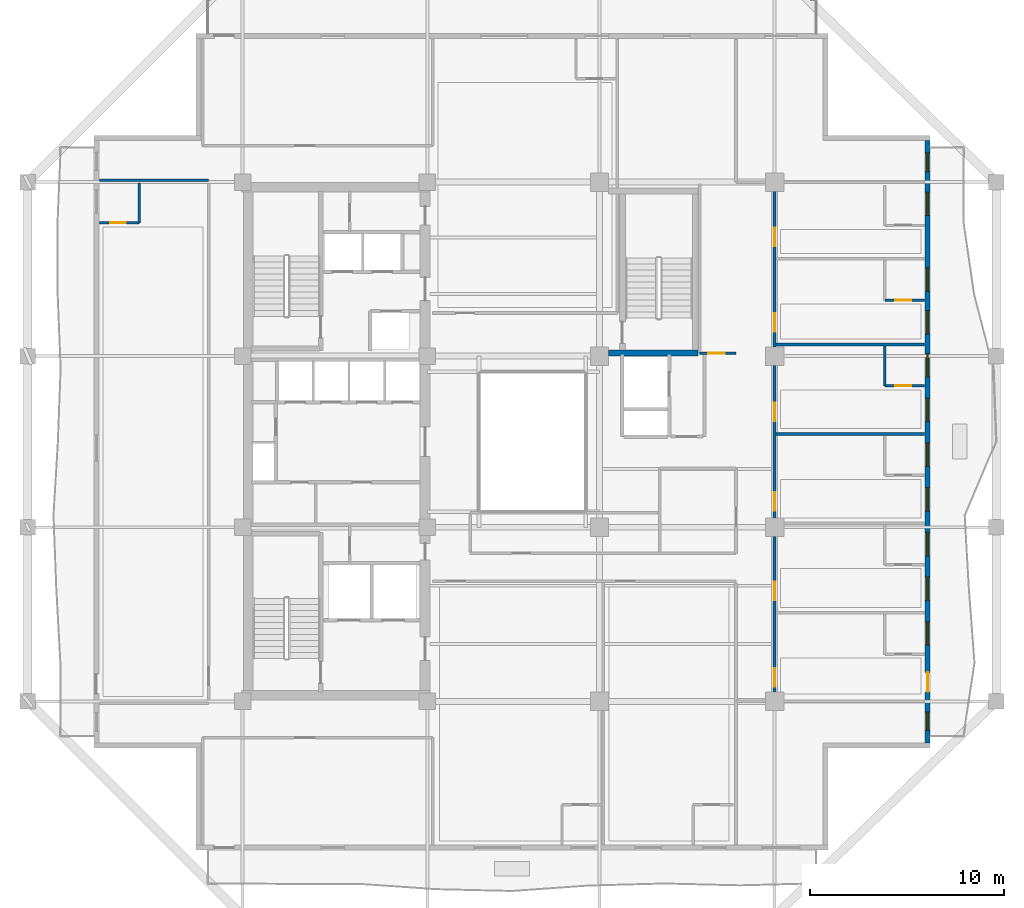
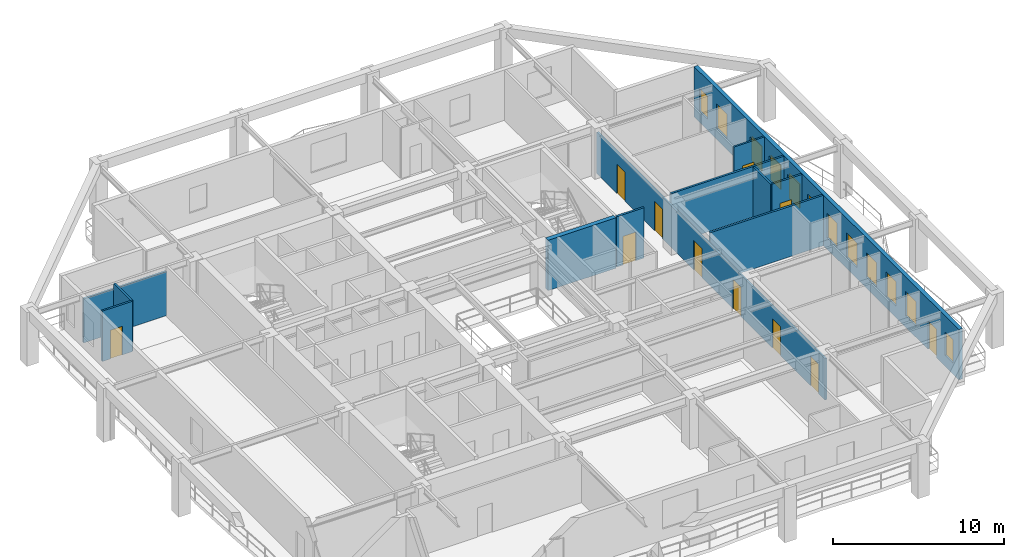
# One storey, part 5 of 13: 12 walls, 12 windows, 11 doors, 23 openings.
"""IFC4 building model written with IfcOpenShell, lengths in metres."""

from ifc_helpers import new_model, si_unit, direction, frame, frame_2d, origin, place, context, subcontext, project, spatial, rectangle, extrude, material, layer, layer_set, type_object, element, fill, save


model = new_model("IFC4")

# Units and contexts
model_context = context("Model", 3, precision=1e-05, world=origin(), true_north=direction((0.0, 1.0)))
body_context = subcontext(model_context, "Body", "Model", "MODEL_VIEW")
ifc_project = project(units=[si_unit("LENGTHUNIT", "METRE"), si_unit("AREAUNIT", "SQUARE_METRE"), si_unit("VOLUMEUNIT", "CUBIC_METRE"), si_unit("PLANEANGLEUNIT", "RADIAN"), si_unit("MASSUNIT", "GRAM", prefix="KILO")], contexts=[model_context])

# Site, building, storey
site_placement = place(None, origin())
site = spatial("IfcSite", under=ifc_project, at=site_placement, CompositionType="ELEMENT")
building_placement = place(site_placement, origin())
building = spatial("IfcBuilding", under=site, at=building_placement, Name="Kundavana Baori Tower", CompositionType="ELEMENT")
storey_placement = place(building_placement, frame((0.0, 0.0, 192.550048828125)))
storey = spatial("IfcBuildingStorey", under=building, at=storey_placement, Name="L47", CompositionType="ELEMENT", Elevation=192.550048828125)

# Wall, openings, door, windows
ifc_material_1 = material(Name="Kiln-Fired Terracotta Brick-Slip Masonry on Concrete C40/50", Category="masonry")
ifc_layer_1 = layer(ifc_material_1, 0.260009765625, Name="WL-EXT-BRK-260")
ifc_layer_set_1 = layer_set([ifc_layer_1], Name="Kiln-Fired Terracotta Brick-Slip Masonry on Concrete C40/50")
wall_type_1 = type_object("IfcWallType", Name="WL-EXT-BRK-260", PredefinedType="SOLIDWALL", material=ifc_layer_set_1)
wall_1_placement = place(storey_placement, frame((50.669921875, 13.110107421875, 0.0), z_axis=(0.0, 0.0, 1.0), x_axis=(0.0, 1.0, 0.0)))
wall_1 = element("IfcWall", 1, at=wall_1_placement, inside=storey, type_object=wall_type_1, Name="L47 Exterior Insulated Facade Wall 04", PredefinedType="SOLIDWALL", context=body_context, shape_type="SweptSolid", body=[
    extrude(rectangle(XDim=30.97998046875, YDim=0.260009765625, at=frame_2d((15.489990234375, 0.0))), origin(), (0.0, 0.0, 1.0), 3.599853515625),
])
opening_1_placement = place(wall_1_placement, frame((0.64990234375, 0.0, 0.800048828125)))
opening_1 = element("IfcOpeningElement", 2, at=opening_1_placement, cuts=wall_1, Name="Opening W-13", PredefinedType="OPENING", context=body_context, shape_type="SweptSolid", body=[
    extrude(rectangle(XDim=0.949951171875, YDim=1.64990234375, at=frame_2d((0.47509765625, 0.824951171875))), frame((0.0, 0.14013671875, 0.0), z_axis=(0.0, -1.0, 0.0), x_axis=(1.0, 0.0, 0.0)), (0.0, 0.0, 1.0), 0.280029296875),
])
opening_2_placement = place(wall_1_placement, frame((2.6298828125, 0.0, 0.0)))
opening_2 = element("IfcOpeningElement", 3, at=opening_2_placement, cuts=wall_1, Name="Opening BD-1", PredefinedType="OPENING", context=body_context, shape_type="SweptSolid", body=[
    extrude(rectangle(XDim=1.0, YDim=2.050048828125, at=frame_2d((0.5, 1.02490234375))), frame((0.0, 0.14013671875, 0.0), z_axis=(0.0, -1.0, 0.0), x_axis=(1.0, 0.0, 0.0)), (0.0, 0.0, 1.0), 0.280029296875),
])
opening_3_placement = place(wall_1_placement, frame((5.02490234375, 0.0, 0.800048828125)))
opening_3 = element("IfcOpeningElement", 4, at=opening_3_placement, cuts=wall_1, Name="Opening W-03", PredefinedType="OPENING", context=body_context, shape_type="SweptSolid", body=[
    extrude(rectangle(XDim=1.199951171875, YDim=1.75, at=frame_2d((0.60009765625, 0.875))), frame((0.0, 0.14013671875, 0.0), z_axis=(0.0, -1.0, 0.0), x_axis=(1.0, 0.0, 0.0)), (0.0, 0.0, 1.0), 0.280029296875),
])
opening_4_placement = place(wall_1_placement, frame((7.324951171875, 0.0, 0.800048828125)))
opening_4 = element("IfcOpeningElement", 5, at=opening_4_placement, cuts=wall_1, Name="Opening W-03", PredefinedType="OPENING", context=body_context, shape_type="SweptSolid", body=[
    extrude(rectangle(XDim=1.199951171875, YDim=1.75, at=frame_2d((0.60009765625, 0.875))), frame((0.0, 0.14013671875, 0.0), z_axis=(0.0, -1.0, 0.0), x_axis=(1.0, 0.0, 0.0)), (0.0, 0.0, 1.0), 0.280029296875),
])
opening_5_placement = place(wall_1_placement, frame((9.625, 0.0, 0.800048828125)))
opening_5 = element("IfcOpeningElement", 6, at=opening_5_placement, cuts=wall_1, Name="Opening W-03", PredefinedType="OPENING", context=body_context, shape_type="SweptSolid", body=[
    extrude(rectangle(XDim=1.199951171875, YDim=1.75, at=frame_2d((0.60009765625, 0.875))), frame((0.0, 0.14013671875, 0.0), z_axis=(0.0, -1.0, 0.0), x_axis=(1.0, 0.0, 0.0)), (0.0, 0.0, 1.0), 0.280029296875),
])
opening_6_placement = place(wall_1_placement, frame((11.925048828125, 0.0, 0.800048828125)))
opening_6 = element("IfcOpeningElement", 7, at=opening_6_placement, cuts=wall_1, Name="Opening W-03", PredefinedType="OPENING", context=body_context, shape_type="SweptSolid", body=[
    extrude(rectangle(XDim=1.199951171875, YDim=1.75, at=frame_2d((0.60009765625, 0.875))), frame((0.0, 0.14013671875, 0.0), z_axis=(0.0, -1.0, 0.0), x_axis=(1.0, 0.0, 0.0)), (0.0, 0.0, 1.0), 0.280029296875),
])
opening_7_placement = place(wall_1_placement, frame((14.22509765625, 0.0, 0.800048828125)))
opening_7 = element("IfcOpeningElement", 8, at=opening_7_placement, cuts=wall_1, Name="Opening W-03", PredefinedType="OPENING", context=body_context, shape_type="SweptSolid", body=[
    extrude(rectangle(XDim=1.199951171875, YDim=1.75, at=frame_2d((0.60009765625, 0.875))), frame((0.0, 0.14013671875, 0.0), z_axis=(0.0, -1.0, 0.0), x_axis=(1.0, 0.0, 0.0)), (0.0, 0.0, 1.0), 0.280029296875),
])
opening_8_placement = place(wall_1_placement, frame((16.52490234375, 0.0, 0.800048828125)))
opening_8 = element("IfcOpeningElement", 9, at=opening_8_placement, cuts=wall_1, Name="Opening W-03", PredefinedType="OPENING", context=body_context, shape_type="SweptSolid", body=[
    extrude(rectangle(XDim=1.199951171875, YDim=1.75, at=frame_2d((0.60009765625, 0.875))), frame((0.0, 0.14013671875, 0.0), z_axis=(0.0, -1.0, 0.0), x_axis=(1.0, 0.0, 0.0)), (0.0, 0.0, 1.0), 0.280029296875),
])
opening_9_placement = place(wall_1_placement, frame((18.824951171875, 0.0, 0.800048828125)))
opening_9 = element("IfcOpeningElement", 10, at=opening_9_placement, cuts=wall_1, Name="Opening W-03", PredefinedType="OPENING", context=body_context, shape_type="SweptSolid", body=[
    extrude(rectangle(XDim=1.199951171875, YDim=1.75, at=frame_2d((0.60009765625, 0.875))), frame((0.0, 0.14013671875, 0.0), z_axis=(0.0, -1.0, 0.0), x_axis=(1.0, 0.0, 0.0)), (0.0, 0.0, 1.0), 0.280029296875),
])
opening_10_placement = place(wall_1_placement, frame((21.02490234375, 0.0, 0.800048828125)))
opening_10 = element("IfcOpeningElement", 11, at=opening_10_placement, cuts=wall_1, Name="Opening W-03", PredefinedType="OPENING", context=body_context, shape_type="SweptSolid", body=[
    extrude(rectangle(XDim=1.199951171875, YDim=1.75, at=frame_2d((0.60009765625, 0.875))), frame((0.0, 0.14013671875, 0.0), z_axis=(0.0, -1.0, 0.0), x_axis=(1.0, 0.0, 0.0)), (0.0, 0.0, 1.0), 0.280029296875),
])
opening_11_placement = place(wall_1_placement, frame((23.22509765625, 0.0, 0.800048828125)))
opening_11 = element("IfcOpeningElement", 12, at=opening_11_placement, cuts=wall_1, Name="Opening W-03", PredefinedType="OPENING", context=body_context, shape_type="SweptSolid", body=[
    extrude(rectangle(XDim=1.199951171875, YDim=1.75, at=frame_2d((0.60009765625, 0.875))), frame((0.0, 0.14013671875, 0.0), z_axis=(0.0, -1.0, 0.0), x_axis=(1.0, 0.0, 0.0)), (0.0, 0.0, 1.0), 0.280029296875),
])
opening_12_placement = place(wall_1_placement, frame((27.125, 0.0, 0.800048828125)))
opening_12 = element("IfcOpeningElement", 13, at=opening_12_placement, cuts=wall_1, Name="Opening W-03", PredefinedType="OPENING", context=body_context, shape_type="SweptSolid", body=[
    extrude(rectangle(XDim=1.199951171875, YDim=1.75, at=frame_2d((0.60009765625, 0.875))), frame((0.0, 0.14013671875, 0.0), z_axis=(0.0, -1.0, 0.0), x_axis=(1.0, 0.0, 0.0)), (0.0, 0.0, 1.0), 0.280029296875),
])
opening_13_placement = place(wall_1_placement, frame((29.3798828125, 0.0, 0.800048828125)))
opening_13 = element("IfcOpeningElement", 14, at=opening_13_placement, cuts=wall_1, Name="Opening W-13", PredefinedType="OPENING", context=body_context, shape_type="SweptSolid", body=[
    extrude(rectangle(XDim=0.949951171875, YDim=1.64990234375, at=frame_2d((0.47509765625, 0.824951171875))), frame((0.0, 0.14013671875, 0.0), z_axis=(0.0, -1.0, 0.0), x_axis=(1.0, 0.0, 0.0)), (0.0, 0.0, 1.0), 0.280029296875),
])
ifc_material_2 = material(Name="Architectural Patinated Bronze Metalwork")
door_type_1 = type_object("IfcDoorType", Name="DR-EXT-LOG-1000", OperationType="NOTDEFINED", PredefinedType="DOOR", material=ifc_material_2)
door_1_placement = place(opening_2_placement, frame((1.0, 0.0, 0.0), z_axis=(0.0, 0.0, 1.0), x_axis=(-1.0, 0.0, 0.0)))
door_1 = element("IfcDoor", 15, at=door_1_placement, inside=storey, type_object=door_type_1, Name="L47 Loggia Balcony Access Door E", OperationType="SINGLE_SWING_LEFT", OverallHeight=2.050048828125, OverallWidth=1.0, PredefinedType="DOOR", context=body_context, shape_type="SweptSolid", body=[
    extrude(rectangle(XDim=1.0, YDim=2.050048828125, at=frame_2d((0.5, 1.02490234375))), frame((0.0, 0.02490234375, 0.0), z_axis=(0.0, -1.0, 0.0), x_axis=(1.0, 0.0, 0.0)), (0.0, 0.0, 1.0), 0.050048828125),
])
fill(opening_2, door_1)
ifc_material_3 = material(Name="Double-Glazed Solar-Control Low-E Insulated Glass", Category="glass")
window_type_1 = type_object("IfcWindowType", Name="WIN-LOG-1200x1750", PartitioningType="SINGLE_PANEL", PredefinedType="WINDOW", material=ifc_material_3)
window_1_placement = place(opening_3_placement, origin())
window_1 = element("IfcWindow", 16, at=window_1_placement, inside=storey, type_object=window_type_1, Name="L47 Recessed Loggia Window E-3", OverallHeight=1.75, OverallWidth=1.199951171875, PartitioningType="SINGLE_PANEL", PredefinedType="WINDOW", context=body_context, shape_type="SweptSolid", body=[
    extrude(rectangle(XDim=1.199951171875, YDim=1.75, at=frame_2d((0.60009765625, 0.875))), frame((0.0, 0.030029296875, 0.0), z_axis=(0.0, -1.0, 0.0), x_axis=(1.0, 0.0, 0.0)), (0.0, 0.0, 1.0), 0.06005859375),
])
fill(opening_3, window_1)
window_2_placement = place(opening_4_placement, origin())
window_2 = element("IfcWindow", 17, at=window_2_placement, inside=storey, type_object=window_type_1, Name="L47 Recessed Loggia Window E-4", OverallHeight=1.75, OverallWidth=1.199951171875, PartitioningType="SINGLE_PANEL", PredefinedType="WINDOW", context=body_context, shape_type="SweptSolid", body=[
    extrude(rectangle(XDim=1.199951171875, YDim=1.75, at=frame_2d((0.60009765625, 0.875))), frame((0.0, 0.030029296875, 0.0), z_axis=(0.0, -1.0, 0.0), x_axis=(1.0, 0.0, 0.0)), (0.0, 0.0, 1.0), 0.06005859375),
])
fill(opening_4, window_2)
window_3_placement = place(opening_5_placement, origin())
window_3 = element("IfcWindow", 18, at=window_3_placement, inside=storey, type_object=window_type_1, Name="L47 Recessed Loggia Window E-5", OverallHeight=1.75, OverallWidth=1.199951171875, PartitioningType="SINGLE_PANEL", PredefinedType="WINDOW", context=body_context, shape_type="SweptSolid", body=[
    extrude(rectangle(XDim=1.199951171875, YDim=1.75, at=frame_2d((0.60009765625, 0.875))), frame((0.0, 0.030029296875, 0.0), z_axis=(0.0, -1.0, 0.0), x_axis=(1.0, 0.0, 0.0)), (0.0, 0.0, 1.0), 0.06005859375),
])
fill(opening_5, window_3)
window_4_placement = place(opening_6_placement, origin())
window_4 = element("IfcWindow", 19, at=window_4_placement, inside=storey, type_object=window_type_1, Name="L47 Recessed Loggia Window E-6", OverallHeight=1.75, OverallWidth=1.199951171875, PartitioningType="SINGLE_PANEL", PredefinedType="WINDOW", context=body_context, shape_type="SweptSolid", body=[
    extrude(rectangle(XDim=1.199951171875, YDim=1.75, at=frame_2d((0.60009765625, 0.875))), frame((0.0, 0.030029296875, 0.0), z_axis=(0.0, -1.0, 0.0), x_axis=(1.0, 0.0, 0.0)), (0.0, 0.0, 1.0), 0.06005859375),
])
fill(opening_6, window_4)
window_5_placement = place(opening_7_placement, origin())
window_5 = element("IfcWindow", 20, at=window_5_placement, inside=storey, type_object=window_type_1, Name="L47 Recessed Loggia Window E-7", OverallHeight=1.75, OverallWidth=1.199951171875, PartitioningType="SINGLE_PANEL", PredefinedType="WINDOW", context=body_context, shape_type="SweptSolid", body=[
    extrude(rectangle(XDim=1.199951171875, YDim=1.75, at=frame_2d((0.60009765625, 0.875))), frame((0.0, 0.030029296875, 0.0), z_axis=(0.0, -1.0, 0.0), x_axis=(1.0, 0.0, 0.0)), (0.0, 0.0, 1.0), 0.06005859375),
])
fill(opening_7, window_5)
window_6_placement = place(opening_8_placement, origin())
window_6 = element("IfcWindow", 21, at=window_6_placement, inside=storey, type_object=window_type_1, Name="L47 Recessed Loggia Window E-8", OverallHeight=1.75, OverallWidth=1.199951171875, PartitioningType="SINGLE_PANEL", PredefinedType="WINDOW", context=body_context, shape_type="SweptSolid", body=[
    extrude(rectangle(XDim=1.199951171875, YDim=1.75, at=frame_2d((0.60009765625, 0.875))), frame((0.0, 0.030029296875, 0.0), z_axis=(0.0, -1.0, 0.0), x_axis=(1.0, 0.0, 0.0)), (0.0, 0.0, 1.0), 0.06005859375),
])
fill(opening_8, window_6)
window_7_placement = place(opening_9_placement, origin())
window_7 = element("IfcWindow", 22, at=window_7_placement, inside=storey, type_object=window_type_1, Name="L47 Recessed Loggia Window E-9", OverallHeight=1.75, OverallWidth=1.199951171875, PartitioningType="SINGLE_PANEL", PredefinedType="WINDOW", context=body_context, shape_type="SweptSolid", body=[
    extrude(rectangle(XDim=1.199951171875, YDim=1.75, at=frame_2d((0.60009765625, 0.875))), frame((0.0, 0.030029296875, 0.0), z_axis=(0.0, -1.0, 0.0), x_axis=(1.0, 0.0, 0.0)), (0.0, 0.0, 1.0), 0.06005859375),
])
fill(opening_9, window_7)
window_8_placement = place(opening_10_placement, origin())
window_8 = element("IfcWindow", 23, at=window_8_placement, inside=storey, type_object=window_type_1, Name="L47 Recessed Loggia Window E-10", OverallHeight=1.75, OverallWidth=1.199951171875, PartitioningType="SINGLE_PANEL", PredefinedType="WINDOW", context=body_context, shape_type="SweptSolid", body=[
    extrude(rectangle(XDim=1.199951171875, YDim=1.75, at=frame_2d((0.60009765625, 0.875))), frame((0.0, 0.030029296875, 0.0), z_axis=(0.0, -1.0, 0.0), x_axis=(1.0, 0.0, 0.0)), (0.0, 0.0, 1.0), 0.06005859375),
])
fill(opening_10, window_8)
window_9_placement = place(opening_11_placement, origin())
window_9 = element("IfcWindow", 24, at=window_9_placement, inside=storey, type_object=window_type_1, Name="L47 Recessed Loggia Window E-11", OverallHeight=1.75, OverallWidth=1.199951171875, PartitioningType="SINGLE_PANEL", PredefinedType="WINDOW", context=body_context, shape_type="SweptSolid", body=[
    extrude(rectangle(XDim=1.199951171875, YDim=1.75, at=frame_2d((0.60009765625, 0.875))), frame((0.0, 0.030029296875, 0.0), z_axis=(0.0, -1.0, 0.0), x_axis=(1.0, 0.0, 0.0)), (0.0, 0.0, 1.0), 0.06005859375),
])
fill(opening_11, window_9)
window_10_placement = place(opening_12_placement, origin())
window_10 = element("IfcWindow", 25, at=window_10_placement, inside=storey, type_object=window_type_1, Name="L47 Recessed Loggia Window E-12", OverallHeight=1.75, OverallWidth=1.199951171875, PartitioningType="SINGLE_PANEL", PredefinedType="WINDOW", context=body_context, shape_type="SweptSolid", body=[
    extrude(rectangle(XDim=1.199951171875, YDim=1.75, at=frame_2d((0.60009765625, 0.875))), frame((0.0, 0.030029296875, 0.0), z_axis=(0.0, -1.0, 0.0), x_axis=(1.0, 0.0, 0.0)), (0.0, 0.0, 1.0), 0.06005859375),
])
fill(opening_12, window_10)
ifc_material_4 = material(Name="Double-Glazed Solar-Control Low-E Insulated Glass", Category="glass")
window_type_2 = type_object("IfcWindowType", Name="WIN-LOG-950x1650", PartitioningType="SINGLE_PANEL", PredefinedType="WINDOW", material=ifc_material_4)
window_11_placement = place(opening_1_placement, origin())
window_11 = element("IfcWindow", 26, at=window_11_placement, inside=storey, type_object=window_type_2, Name="L47 Recessed Loggia Window E-1", OverallHeight=1.64990234375, OverallWidth=0.949951171875, PartitioningType="SINGLE_PANEL", PredefinedType="WINDOW", context=body_context, shape_type="SweptSolid", body=[
    extrude(rectangle(XDim=0.949951171875, YDim=1.64990234375, at=frame_2d((0.47509765625, 0.824951171875))), frame((0.0, 0.030029296875, 0.0), z_axis=(0.0, -1.0, 0.0), x_axis=(1.0, 0.0, 0.0)), (0.0, 0.0, 1.0), 0.06005859375),
])
fill(opening_1, window_11)
window_12_placement = place(opening_13_placement, origin())
window_12 = element("IfcWindow", 27, at=window_12_placement, inside=storey, type_object=window_type_2, Name="L47 Recessed Loggia Window E-13", OverallHeight=1.64990234375, OverallWidth=0.949951171875, PartitioningType="SINGLE_PANEL", PredefinedType="WINDOW", context=body_context, shape_type="SweptSolid", body=[
    extrude(rectangle(XDim=0.949951171875, YDim=1.64990234375, at=frame_2d((0.47509765625, 0.824951171875))), frame((0.0, 0.030029296875, 0.0), z_axis=(0.0, -1.0, 0.0), x_axis=(1.0, 0.0, 0.0)), (0.0, 0.0, 1.0), 0.06005859375),
])
fill(opening_13, window_12)

# Wall, openings, doors
ifc_material_5 = material(Name="Acoustic Gypsum Plasterboard on Galvanised Steel Studs", Category="steel")
ifc_layer_2 = layer(ifc_material_5, 0.135009765625, Name="WL-PART-135")
ifc_layer_set_2 = layer_set([ifc_layer_2], Name="Acoustic Gypsum Plasterboard on Galvanised Steel Studs")
wall_type_2 = type_object("IfcWallType", Name="WL-PART-135", PredefinedType="PARTITIONING", material=ifc_layer_set_2)
wall_2_placement = place(storey_placement, frame((42.800048828125, 15.25, 0.0), z_axis=(0.0, 0.0, 1.0), x_axis=(0.0, 1.0, 0.0)))
wall_2 = element("IfcWall", 28, at=wall_2_placement, inside=storey, type_object=wall_type_2, Name="WL-L47-HE", PredefinedType="PARTITIONING", context=body_context, shape_type="SweptSolid", body=[
    extrude(rectangle(XDim=26.699951171875, YDim=0.135009765625, at=frame_2d((13.35009765625, 0.0))), origin(), (0.0, 0.0, 1.0), 2.949951171875),
])
opening_14_placement = place(wall_2_placement, frame((0.75, 0.0, 0.0)))
opening_14 = element("IfcOpeningElement", 29, at=opening_14_placement, cuts=wall_2, Name="Opening FD-095", PredefinedType="OPENING", context=body_context, shape_type="SweptSolid", body=[
    extrude(rectangle(XDim=0.949951171875, YDim=2.10009765625, at=frame_2d((0.47509765625, 1.050048828125))), frame((0.0, 0.07763671875, 0.0), z_axis=(0.0, -1.0, 0.0), x_axis=(1.0, 0.0, 0.0)), (0.0, 0.0, 1.0), 0.155029296875),
])
opening_15_placement = place(wall_2_placement, frame((5.199951171875, 0.0, 0.0)))
opening_15 = element("IfcOpeningElement", 30, at=opening_15_placement, cuts=wall_2, Name="Opening FD-095", PredefinedType="OPENING", context=body_context, shape_type="SweptSolid", body=[
    extrude(rectangle(XDim=0.949951171875, YDim=2.10009765625, at=frame_2d((0.47509765625, 1.050048828125))), frame((0.0, 0.07763671875, 0.0), z_axis=(0.0, -1.0, 0.0), x_axis=(1.0, 0.0, 0.0)), (0.0, 0.0, 1.0), 0.155029296875),
])
opening_16_placement = place(wall_2_placement, frame((9.800048828125, 0.0, 0.0)))
opening_16 = element("IfcOpeningElement", 31, at=opening_16_placement, cuts=wall_2, Name="Opening FD-095", PredefinedType="OPENING", context=body_context, shape_type="SweptSolid", body=[
    extrude(rectangle(XDim=0.949951171875, YDim=2.10009765625, at=frame_2d((0.47509765625, 1.050048828125))), frame((0.0, 0.07763671875, 0.0), z_axis=(0.0, -1.0, 0.0), x_axis=(1.0, 0.0, 0.0)), (0.0, 0.0, 1.0), 0.155029296875),
])
opening_17_placement = place(wall_2_placement, frame((14.39990234375, 0.0, 0.0)))
opening_17 = element("IfcOpeningElement", 32, at=opening_17_placement, cuts=wall_2, Name="Opening FD-095", PredefinedType="OPENING", context=body_context, shape_type="SweptSolid", body=[
    extrude(rectangle(XDim=0.949951171875, YDim=2.10009765625, at=frame_2d((0.47509765625, 1.050048828125))), frame((0.0, 0.07763671875, 0.0), z_axis=(0.0, -1.0, 0.0), x_axis=(1.0, 0.0, 0.0)), (0.0, 0.0, 1.0), 0.155029296875),
])
opening_18_placement = place(wall_2_placement, frame((19.0, 0.0, 0.0)))
opening_18 = element("IfcOpeningElement", 33, at=opening_18_placement, cuts=wall_2, Name="Opening FD-095", PredefinedType="OPENING", context=body_context, shape_type="SweptSolid", body=[
    extrude(rectangle(XDim=0.949951171875, YDim=2.10009765625, at=frame_2d((0.47509765625, 1.050048828125))), frame((0.0, 0.07763671875, 0.0), z_axis=(0.0, -1.0, 0.0), x_axis=(1.0, 0.0, 0.0)), (0.0, 0.0, 1.0), 0.155029296875),
])
opening_19_placement = place(wall_2_placement, frame((23.39990234375, 0.0, 0.0)))
opening_19 = element("IfcOpeningElement", 34, at=opening_19_placement, cuts=wall_2, Name="Opening FD-095", PredefinedType="OPENING", context=body_context, shape_type="SweptSolid", body=[
    extrude(rectangle(XDim=0.949951171875, YDim=2.10009765625, at=frame_2d((0.47509765625, 1.050048828125))), frame((0.0, 0.07763671875, 0.0), z_axis=(0.0, -1.0, 0.0), x_axis=(1.0, 0.0, 0.0)), (0.0, 0.0, 1.0), 0.155029296875),
])
ifc_material_6 = material(Name="Engineered Teak Fire-Rated Timber Door Leaf", Category="wood")
door_type_2 = type_object("IfcDoorType", Name="DR-FD60-950", OperationType="NOTDEFINED", PredefinedType="DOOR", material=ifc_material_6)
door_2_placement = place(opening_14_placement, origin())
door_2 = element("IfcDoor", 35, at=door_2_placement, inside=storey, type_object=door_type_2, Name="DR-L47-HK-E1-ENT", OperationType="SINGLE_SWING_LEFT", OverallHeight=2.10009765625, OverallWidth=0.949951171875, PredefinedType="DOOR", context=body_context, shape_type="SweptSolid", body=[
    extrude(rectangle(XDim=0.949951171875, YDim=2.10009765625, at=frame_2d((0.47509765625, 1.050048828125))), frame((0.0, 0.02490234375, 0.0), z_axis=(0.0, -1.0, 0.0), x_axis=(1.0, 0.0, 0.0)), (0.0, 0.0, 1.0), 0.050048828125),
])
fill(opening_14, door_2)
door_3_placement = place(opening_15_placement, origin())
door_3 = element("IfcDoor", 36, at=door_3_placement, inside=storey, type_object=door_type_2, Name="DR-L47-HK-E2-ENT", OperationType="SINGLE_SWING_LEFT", OverallHeight=2.10009765625, OverallWidth=0.949951171875, PredefinedType="DOOR", context=body_context, shape_type="SweptSolid", body=[
    extrude(rectangle(XDim=0.949951171875, YDim=2.10009765625, at=frame_2d((0.47509765625, 1.050048828125))), frame((0.0, 0.02490234375, 0.0), z_axis=(0.0, -1.0, 0.0), x_axis=(1.0, 0.0, 0.0)), (0.0, 0.0, 1.0), 0.050048828125),
])
fill(opening_15, door_3)
door_4_placement = place(opening_16_placement, origin())
door_4 = element("IfcDoor", 37, at=door_4_placement, inside=storey, type_object=door_type_2, Name="DR-L47-HK-E3-ENT", OperationType="SINGLE_SWING_LEFT", OverallHeight=2.10009765625, OverallWidth=0.949951171875, PredefinedType="DOOR", context=body_context, shape_type="SweptSolid", body=[
    extrude(rectangle(XDim=0.949951171875, YDim=2.10009765625, at=frame_2d((0.47509765625, 1.050048828125))), frame((0.0, 0.02490234375, 0.0), z_axis=(0.0, -1.0, 0.0), x_axis=(1.0, 0.0, 0.0)), (0.0, 0.0, 1.0), 0.050048828125),
])
fill(opening_16, door_4)
door_5_placement = place(opening_17_placement, origin())
door_5 = element("IfcDoor", 38, at=door_5_placement, inside=storey, type_object=door_type_2, Name="DR-L47-HK-E4-ENT", OperationType="SINGLE_SWING_LEFT", OverallHeight=2.10009765625, OverallWidth=0.949951171875, PredefinedType="DOOR", context=body_context, shape_type="SweptSolid", body=[
    extrude(rectangle(XDim=0.949951171875, YDim=2.10009765625, at=frame_2d((0.47509765625, 1.050048828125))), frame((0.0, 0.02490234375, 0.0), z_axis=(0.0, -1.0, 0.0), x_axis=(1.0, 0.0, 0.0)), (0.0, 0.0, 1.0), 0.050048828125),
])
fill(opening_17, door_5)
door_6_placement = place(opening_18_placement, origin())
door_6 = element("IfcDoor", 39, at=door_6_placement, inside=storey, type_object=door_type_2, Name="DR-L47-HK-E5-ENT", OperationType="SINGLE_SWING_LEFT", OverallHeight=2.10009765625, OverallWidth=0.949951171875, PredefinedType="DOOR", context=body_context, shape_type="SweptSolid", body=[
    extrude(rectangle(XDim=0.949951171875, YDim=2.10009765625, at=frame_2d((0.47509765625, 1.050048828125))), frame((0.0, 0.02490234375, 0.0), z_axis=(0.0, -1.0, 0.0), x_axis=(1.0, 0.0, 0.0)), (0.0, 0.0, 1.0), 0.050048828125),
])
fill(opening_18, door_6)
door_7_placement = place(opening_19_placement, origin())
door_7 = element("IfcDoor", 40, at=door_7_placement, inside=storey, type_object=door_type_2, Name="DR-L47-HK-E6-ENT", OperationType="SINGLE_SWING_LEFT", OverallHeight=2.10009765625, OverallWidth=0.949951171875, PredefinedType="DOOR", context=body_context, shape_type="SweptSolid", body=[
    extrude(rectangle(XDim=0.949951171875, YDim=2.10009765625, at=frame_2d((0.47509765625, 1.050048828125))), frame((0.0, 0.02490234375, 0.0), z_axis=(0.0, -1.0, 0.0), x_axis=(1.0, 0.0, 0.0)), (0.0, 0.0, 1.0), 0.050048828125),
])
fill(opening_19, door_7)

# Walls
wall_3_placement = place(storey_placement, frame((8.080078125, 42.0400390625, 0.0), z_axis=(0.0, 0.0, 1.0), x_axis=(1.0, 0.0, 0.0)))
element("IfcWall", 41, at=wall_3_placement, inside=storey, type_object=wall_type_2, Name="WL-L47-HWN", PredefinedType="PARTITIONING", context=body_context, shape_type="SweptSolid", body=[
    extrude(rectangle(XDim=5.619873046875, YDim=0.135009765625, at=frame_2d((2.81005859375, 0.0))), origin(), (0.0, 0.0, 1.0), 3.14990234375),
])
for number, where, z_axis, x_axis, name in (
    (42, (42.8798828125, 29.0, 0.0), (0.0, 0.0, 1.0), (1.0, 0.0, 0.0), "WL-L47-HED3"),
    (43, (42.8798828125, 33.60009765625, 0.0), (0.0, 0.0, 1.0), (1.0, 0.0, 0.0), "WL-L47-HED4"),
):
    element("IfcWall", number, at=place(storey_placement, frame(where, z_axis=z_axis, x_axis=x_axis)), inside=storey, type_object=wall_type_2, Name=name, PredefinedType="PARTITIONING", context=body_context, shape_type="SweptSolid", body=[
        extrude(rectangle(XDim=7.64013671875, YDim=0.135009765625, at=frame_2d((3.820068359375, 0.0))), origin(), (0.0, 0.0, 1.0), 3.599853515625),
    ])

# Wall, opening, door
wall_4_placement = place(storey_placement, frame((38.949951171875, 33.14990234375, 0.0), z_axis=(0.0, 0.0, 1.0), x_axis=(1.0, 0.0, 0.0)))
wall_4 = element("IfcWall", 44, at=wall_4_placement, inside=storey, type_object=wall_type_2, Name="WL-L47-HNES", PredefinedType="PARTITIONING", context=body_context, shape_type="SweptSolid", body=[
    extrude(rectangle(XDim=1.8701171875, YDim=0.135009765625, at=frame_2d((0.93505859375, 0.0))), origin(), (0.0, 0.0, 1.0), 3.599853515625),
])
opening_20_placement = place(wall_4_placement, frame((0.449951171875, 0.0, 0.0)))
opening_20 = element("IfcOpeningElement", 45, at=opening_20_placement, cuts=wall_4, Name="Opening WD-085", PredefinedType="OPENING", context=body_context, shape_type="SweptSolid", body=[
    extrude(rectangle(XDim=0.85009765625, YDim=2.050048828125, at=frame_2d((0.425048828125, 1.02490234375))), frame((0.0, 0.07763671875, 0.0), z_axis=(0.0, -1.0, 0.0), x_axis=(1.0, 0.0, 0.0)), (0.0, 0.0, 1.0), 0.155029296875),
])
ifc_material_7 = material(Name="Engineered Teak Solid-Core Timber Veneer", Category="wood")
door_type_3 = type_object("IfcDoorType", Name="DR-WET-850", OperationType="NOTDEFINED", PredefinedType="DOOR", material=ifc_material_7)
door_8_placement = place(opening_20_placement, origin())
door_8 = element("IfcDoor", 46, at=door_8_placement, inside=storey, type_object=door_type_3, Name="DR-L47-HLNE", OperationType="SINGLE_SWING_LEFT", OverallHeight=2.050048828125, OverallWidth=0.85009765625, PredefinedType="DOOR", context=body_context, shape_type="SweptSolid", body=[
    extrude(rectangle(XDim=0.85009765625, YDim=2.050048828125, at=frame_2d((0.425048828125, 1.02490234375))), frame((0.0, 0.02490234375, 0.0), z_axis=(0.0, -1.0, 0.0), x_axis=(1.0, 0.0, 0.0)), (0.0, 0.0, 1.0), 0.050048828125),
])
fill(opening_20, door_8)

# Walls
ifc_material_8 = material(Name="Concrete C50/60", Category="concrete")
ifc_layer_3 = layer(ifc_material_8, 0.300048828125, Name="WL-ST3-300")
ifc_layer_set_3 = layer_set([ifc_layer_3], Name="Concrete C50/60")
wall_type_3 = type_object("IfcWallType", Name="WL-ST3-300", PredefinedType="SHEAR", material=ifc_layer_set_3)
wall_5_placement = place(storey_placement, frame((34.27490234375, 33.159912109375, 0.0), z_axis=(0.0, 0.0, 1.0), x_axis=(1.0, 0.0, 0.0)))
element("IfcWall", 47, at=wall_5_placement, inside=storey, type_object=wall_type_3, Name="L47 Stair ST3 South Shear Wall", PredefinedType="SHEAR", context=body_context, shape_type="SweptSolid", body=[
    extrude(rectangle(XDim=4.59521484375, YDim=0.300048828125, at=frame_2d((2.297607421875, 0.0))), origin(), (0.0, 0.0, 1.0), 3.599853515625),
])
ifc_material_9 = material(Name="Autoclaved Aerated Concrete Blockwork Masonry", Category="masonry")
ifc_layer_4 = layer(ifc_material_9, 0.125, Name="WL-WET-120")
ifc_layer_set_4 = layer_set([ifc_layer_4], Name="Autoclaved Aerated Concrete Blockwork Masonry")
wall_type_4 = type_object("IfcWallType", Name="WL-WET-120", PredefinedType="PLUMBINGWALL", material=ifc_layer_set_4)
wall_6_placement = place(storey_placement, frame((10.1298828125, 39.85009765625, 0.0), z_axis=(0.0, 0.0, 1.0), x_axis=(0.0, 1.0, 0.0)))
element("IfcWall", 48, at=wall_6_placement, inside=storey, type_object=wall_type_4, Name="WL-L47-HK-W1-BE", PredefinedType="PLUMBINGWALL", context=body_context, shape_type="SweptSolid", body=[
    extrude(rectangle(XDim=2.0498046875, YDim=0.125, at=frame_2d((1.02490234375, 0.0))), origin(), (0.0, 0.0, 1.0), 3.599853515625),
])

# Wall, opening, door
wall_7_placement = place(storey_placement, frame((8.080078125, 39.85009765625, 0.0), z_axis=(0.0, 0.0, 1.0), x_axis=(1.0, 0.0, 0.0)))
wall_7 = element("IfcWall", 49, at=wall_7_placement, inside=storey, type_object=wall_type_4, Name="WL-L47-HK-W1-BS", PredefinedType="PLUMBINGWALL", context=body_context, shape_type="SweptSolid", body=[
    extrude(rectangle(XDim=2.0498046875, YDim=0.125, at=frame_2d((1.02490234375, 0.0))), origin(), (0.0, 0.0, 1.0), 3.599853515625),
])
opening_21_placement = place(wall_7_placement, frame((0.550048828125, 0.0, 0.0)))
opening_21 = element("IfcOpeningElement", 50, at=opening_21_placement, cuts=wall_7, Name="Opening WD-080", PredefinedType="OPENING", context=body_context, shape_type="SweptSolid", body=[
    extrude(rectangle(XDim=0.800048828125, YDim=2.050048828125, at=frame_2d((0.39990234375, 1.02490234375))), frame((0.0, 0.072509765625, 0.0), z_axis=(0.0, -1.0, 0.0), x_axis=(1.0, 0.0, 0.0)), (0.0, 0.0, 1.0), 0.14501953125),
])
ifc_material_10 = material(Name="Engineered Teak Solid-Core Timber Veneer", Category="wood")
door_type_4 = type_object("IfcDoorType", Name="DR-WET-800", OperationType="NOTDEFINED", PredefinedType="DOOR", material=ifc_material_10)
door_9_placement = place(opening_21_placement, frame((0.800048828125, 0.0, 0.0), z_axis=(0.0, 0.0, 1.0), x_axis=(-1.0, 0.0, 0.0)))
door_9 = element("IfcDoor", 51, at=door_9_placement, inside=storey, type_object=door_type_4, Name="DR-L47-HK-W1-ENS", OperationType="SINGLE_SWING_LEFT", OverallHeight=2.050048828125, OverallWidth=0.800048828125, PredefinedType="DOOR", context=body_context, shape_type="SweptSolid", body=[
    extrude(rectangle(XDim=0.800048828125, YDim=2.050048828125, at=frame_2d((0.39990234375, 1.02490234375))), frame((0.0, 0.02490234375, 0.0), z_axis=(0.0, -1.0, 0.0), x_axis=(1.0, 0.0, 0.0)), (0.0, 0.0, 1.0), 0.050048828125),
])
fill(opening_21, door_9)

# Wall
wall_8_placement = place(storey_placement, frame((48.469970703125, 31.469970703125, 0.0), z_axis=(0.0, 0.0, 1.0), x_axis=(0.0, 1.0, 0.0)))
element("IfcWall", 52, at=wall_8_placement, inside=storey, type_object=wall_type_4, Name="WL-L47-HK-E4-BW", PredefinedType="PLUMBINGWALL", context=body_context, shape_type="SweptSolid", body=[
    extrude(rectangle(XDim=2.050048828125, YDim=0.125, at=frame_2d((1.02490234375, 0.0))), origin(), (0.0, 0.0, 1.0), 3.599853515625),
])

# Wall, opening, door
wall_9_placement = place(storey_placement, frame((48.469970703125, 31.469970703125, 0.0), z_axis=(0.0, 0.0, 1.0), x_axis=(1.0, 0.0, 0.0)))
wall_9 = element("IfcWall", 53, at=wall_9_placement, inside=storey, type_object=wall_type_4, Name="WL-L47-HK-E4-BS", PredefinedType="PLUMBINGWALL", context=body_context, shape_type="SweptSolid", body=[
    extrude(rectangle(XDim=2.050048828125, YDim=0.125, at=frame_2d((1.02490234375, 0.0))), origin(), (0.0, 0.0, 1.0), 3.599853515625),
])
opening_22_placement = place(wall_9_placement, frame((0.550048828125, 0.0, 0.0)))
opening_22 = element("IfcOpeningElement", 54, at=opening_22_placement, cuts=wall_9, Name="Opening WD-080", PredefinedType="OPENING", context=body_context, shape_type="SweptSolid", body=[
    extrude(rectangle(XDim=0.800048828125, YDim=2.050048828125, at=frame_2d((0.39990234375, 1.02490234375))), frame((0.0, 0.072509765625, 0.0), z_axis=(0.0, -1.0, 0.0), x_axis=(1.0, 0.0, 0.0)), (0.0, 0.0, 1.0), 0.14501953125),
])
door_10_placement = place(opening_22_placement, frame((0.800048828125, 0.0, 0.0), z_axis=(0.0, 0.0, 1.0), x_axis=(-1.0, 0.0, 0.0)))
door_10 = element("IfcDoor", 55, at=door_10_placement, inside=storey, type_object=door_type_4, Name="DR-L47-HK-E4-ENS", OperationType="SINGLE_SWING_LEFT", OverallHeight=2.050048828125, OverallWidth=0.800048828125, PredefinedType="DOOR", context=body_context, shape_type="SweptSolid", body=[
    extrude(rectangle(XDim=0.800048828125, YDim=2.050048828125, at=frame_2d((0.39990234375, 1.02490234375))), frame((0.0, 0.02490234375, 0.0), z_axis=(0.0, -1.0, 0.0), x_axis=(1.0, 0.0, 0.0)), (0.0, 0.0, 1.0), 0.050048828125),
])
fill(opening_22, door_10)

wall_10_placement = place(storey_placement, frame((48.469970703125, 35.8701171875, 0.0), z_axis=(0.0, 0.0, 1.0), x_axis=(1.0, 0.0, 0.0)))
wall_10 = element("IfcWall", 56, at=wall_10_placement, inside=storey, type_object=wall_type_4, Name="WL-L47-HK-E5-BS", PredefinedType="PLUMBINGWALL", context=body_context, shape_type="SweptSolid", body=[
    extrude(rectangle(XDim=2.050048828125, YDim=0.125, at=frame_2d((1.02490234375, 0.0))), origin(), (0.0, 0.0, 1.0), 3.599853515625),
])
opening_23_placement = place(wall_10_placement, frame((0.550048828125, 0.0, 0.0)))
opening_23 = element("IfcOpeningElement", 57, at=opening_23_placement, cuts=wall_10, Name="Opening WD-080", PredefinedType="OPENING", context=body_context, shape_type="SweptSolid", body=[
    extrude(rectangle(XDim=0.800048828125, YDim=2.050048828125, at=frame_2d((0.39990234375, 1.02490234375))), frame((0.0, 0.072509765625, 0.0), z_axis=(0.0, -1.0, 0.0), x_axis=(1.0, 0.0, 0.0)), (0.0, 0.0, 1.0), 0.14501953125),
])
door_11_placement = place(opening_23_placement, frame((0.800048828125, 0.0, 0.0), z_axis=(0.0, 0.0, 1.0), x_axis=(-1.0, 0.0, 0.0)))
door_11 = element("IfcDoor", 58, at=door_11_placement, inside=storey, type_object=door_type_4, Name="DR-L47-HK-E5-ENS", OperationType="SINGLE_SWING_LEFT", OverallHeight=2.050048828125, OverallWidth=0.800048828125, PredefinedType="DOOR", context=body_context, shape_type="SweptSolid", body=[
    extrude(rectangle(XDim=0.800048828125, YDim=2.050048828125, at=frame_2d((0.39990234375, 1.02490234375))), frame((0.0, 0.02490234375, 0.0), z_axis=(0.0, -1.0, 0.0), x_axis=(1.0, 0.0, 0.0)), (0.0, 0.0, 1.0), 0.050048828125),
])
fill(opening_23, door_11)

save(model, "model.ifc")
